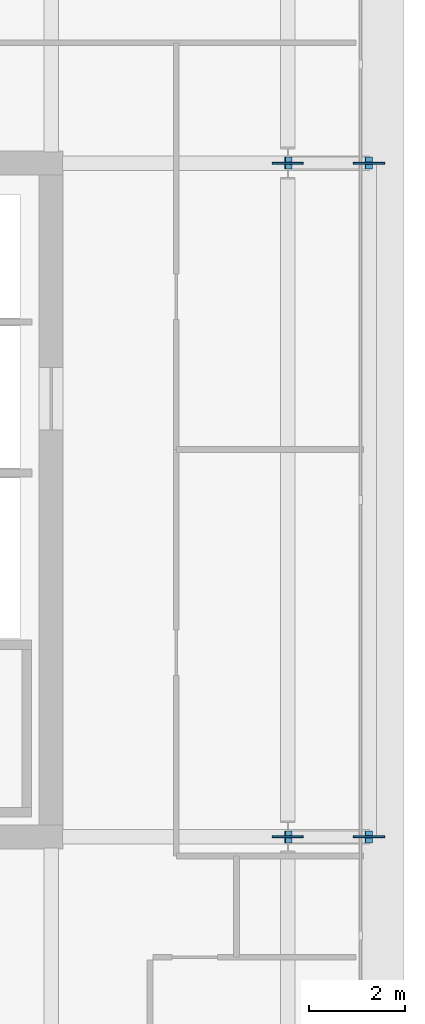
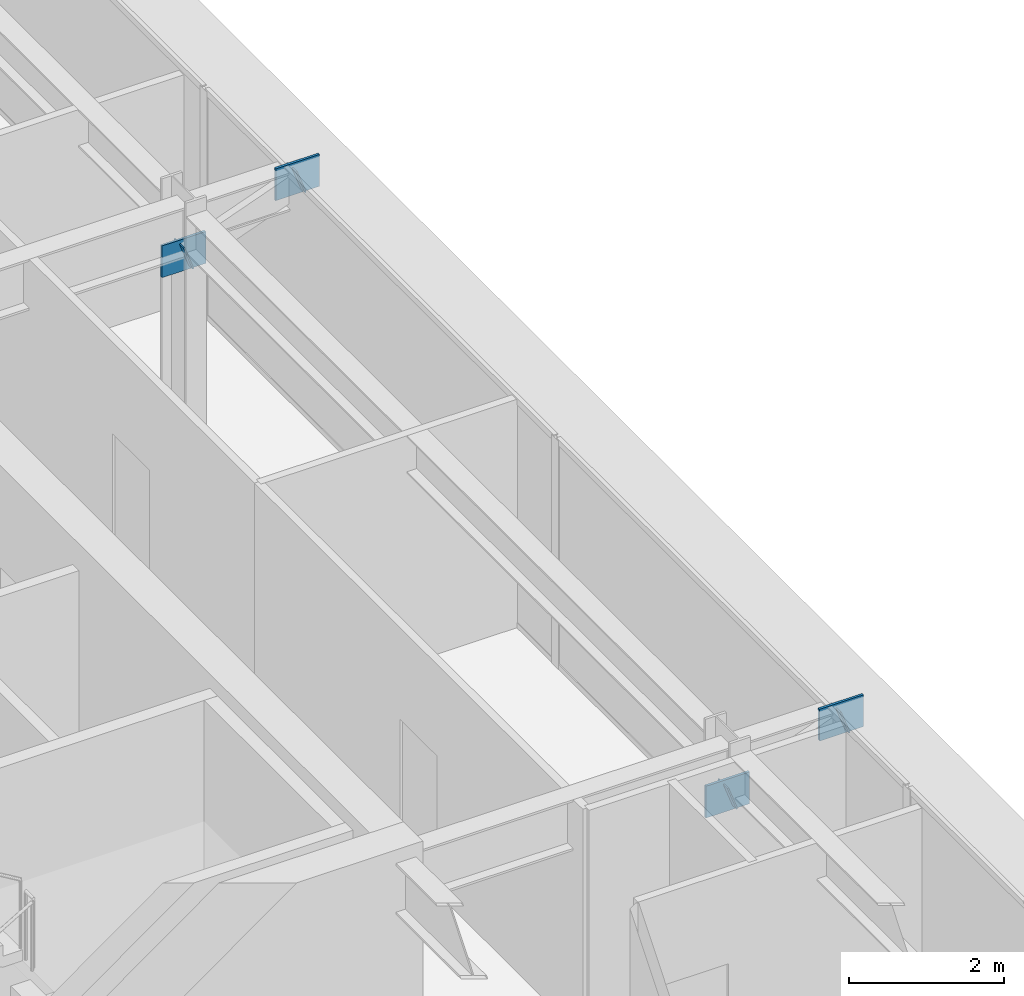
# One storey, part 12 of 20: 8 plates.
"""IFC4 building model written with IfcOpenShell, lengths in metres."""

from ifc_helpers import new_model, si_unit, direction, frame, origin, origin_2d, place, context, subcontext, project, spatial, rectangle, extrude, material, layer, layer_set, type_object, element, save


model = new_model("IFC4")

# Units and contexts
model_context = context("Model", 3, precision=1e-05, world=origin(), true_north=direction((0.0, 1.0)))
body_context = subcontext(model_context, "Body", "Model", "MODEL_VIEW")
ifc_project = project(units=[si_unit("LENGTHUNIT", "METRE"), si_unit("AREAUNIT", "SQUARE_METRE"), si_unit("VOLUMEUNIT", "CUBIC_METRE"), si_unit("PLANEANGLEUNIT", "RADIAN"), si_unit("MASSUNIT", "GRAM", prefix="KILO")], contexts=[model_context])

# Site, building, storey
site_placement = place(None, origin())
site = spatial("IfcSite", under=ifc_project, at=site_placement, CompositionType="ELEMENT")
building_placement = place(site_placement, origin())
building = spatial("IfcBuilding", under=site, at=building_placement, Name="Putna Gate Headquarters", CompositionType="ELEMENT")
storey_placement = place(building_placement, frame((0.0, 0.0, 270.800048828125)))
storey = spatial("IfcBuildingStorey", under=building, at=storey_placement, Name="L68", CompositionType="ELEMENT", Elevation=270.800048828125)

# Plates
ifc_material_1 = material(Name="Steel S355J2", Category="steel")
ifc_layer_1 = layer(ifc_material_1, 0.02001953125)
ifc_layer_set_1 = layer_set([ifc_layer_1], Name="Steel S355J2")
plate_type_1 = type_object("IfcPlateType", Name="PLT-CAP-EC-R400", PredefinedType="SHEET", material=ifc_layer_set_1)
for number, where, z_axis, x_axis, name in (
    (1, (69.9150390625, 19.0, 2.75), (0.939793423488, 0.0, 0.341743063087), (0.0, 1.0, 0.0), "L68 East Sail Cantilever Raker Y19 End Cap Start"),
    (2, (71.586181640625, 19.0, 3.361083984375), (0.939793423488, 0.0, 0.341743063087), (0.0, 1.0, 0.0), "L68 East Sail Cantilever Raker Y19 End Cap End"),
    (3, (69.9150390625, 33.0, 2.75), (0.939793423488, 0.0, 0.341743063087), (0.0, 1.0, 0.0), "L68 East Sail Cantilever Raker Y33 End Cap Start"),
    (4, (71.586181640625, 33.0, 3.361083984375), (0.939793423488, 0.0, 0.341743063087), (0.0, 1.0, 0.0), "L68 East Sail Cantilever Raker Y33 End Cap End"),
):
    element("IfcPlate", number, at=place(storey_placement, frame(where, z_axis=z_axis, x_axis=x_axis)), inside=storey, type_object=plate_type_1, Name=name, PredefinedType="SHEET", context=body_context, shape_type="SweptSolid", body=[
        extrude(rectangle(XDim=0.25, YDim=0.39990234375, at=origin_2d()), origin(), (0.0, 0.0, 1.0), 0.02001953125),
    ])
ifc_material_2 = material(Name="Steel S460M", Category="steel")
ifc_layer_2 = layer(ifc_material_2, 0.0380859375)
ifc_layer_set_2 = layer_set([ifc_layer_2], Name="Steel S460M")
plate_type_2 = type_object("IfcPlateType", Name="PLT-NODE-TN1", PredefinedType="SHEET", material=ifc_layer_set_2)
for number, where, z_axis, x_axis, name in (
    (5, (69.9150390625, 19.0, 2.5), (0.0, 0.0, 1.0), (1.0, 0.0, 0.0), "L68 Sail Raker Node Plate TN1 Y19-1"),
    (6, (71.60498046875, 19.0, 3.117919921875), (0.0, 0.0, 1.0), (1.0, 0.0, 0.0), "L68 Sail Raker Node Plate TN1 Y19-2"),
    (7, (69.9150390625, 33.0, 2.5), (0.0, 0.0, 1.0), (1.0, 0.0, 0.0), "L68 Sail Raker Node Plate TN1 Y33-1"),
    (8, (71.60498046875, 33.0, 3.117919921875), (0.0, 0.0, 1.0), (1.0, 0.0, 0.0), "L68 Sail Raker Node Plate TN1 Y33-2"),
):
    element("IfcPlate", number, at=place(storey_placement, frame(where, z_axis=z_axis, x_axis=x_axis)), inside=storey, type_object=plate_type_2, Name=name, PredefinedType="SHEET", context=body_context, shape_type="SweptSolid", body=[
        extrude(rectangle(XDim=0.64990234375, YDim=0.0380859375, at=origin_2d()), origin(), (0.0, 0.0, 1.0), 0.5),
    ])

save(model, "model.ifc")
